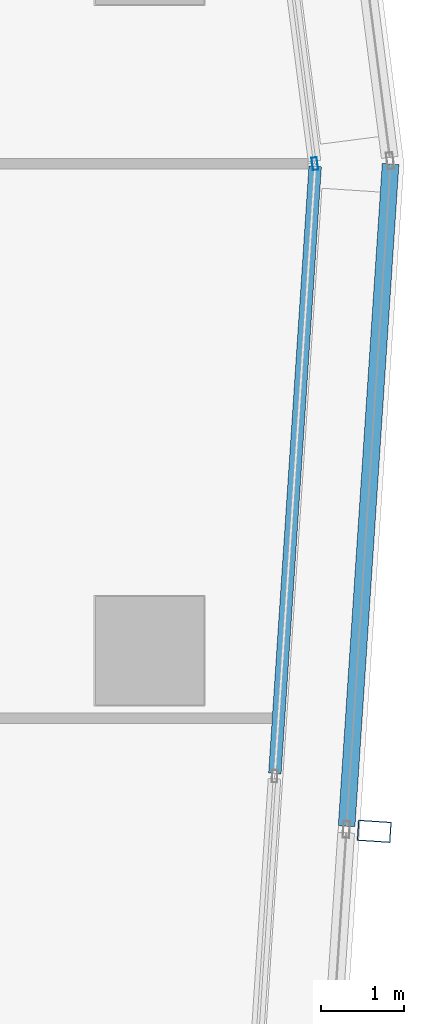
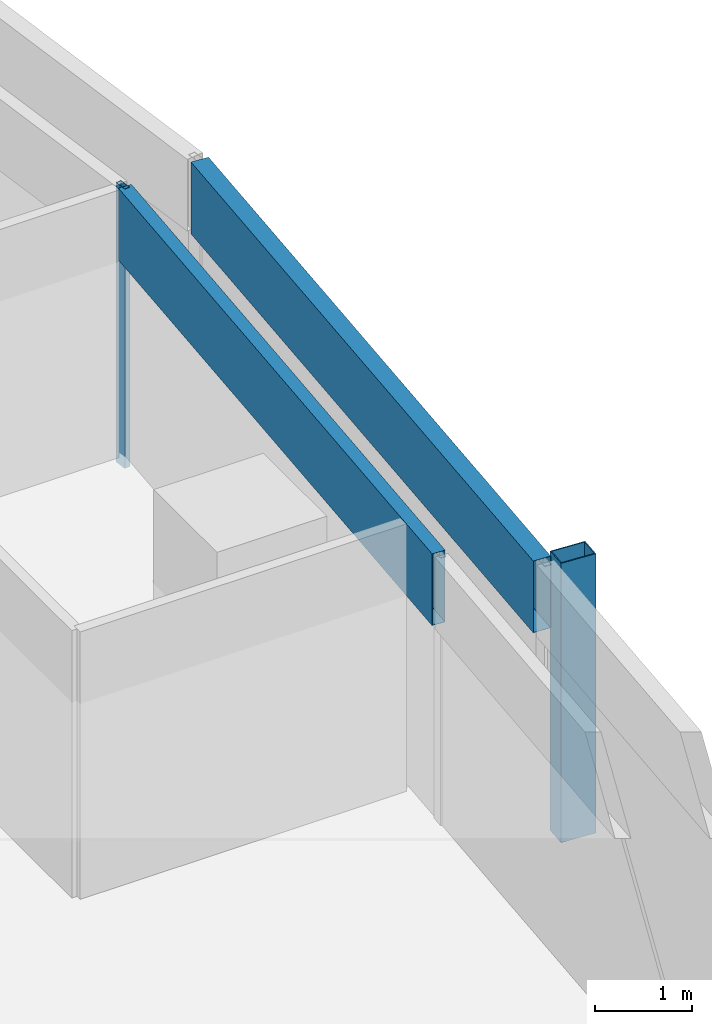
# One storey, part 13 of 29: 4 members, 3 elements without a shape of their own.
"""IFC4 building model written with IfcOpenShell, lengths in metres."""

from ifc_helpers import new_model, si_unit, direction, frame, origin, origin_2d, place, context, subcontext, project, spatial, hollow_rectangle, extrude, material, material_profile, profile_set, type_object, element, aggregate, save


model = new_model("IFC4")

# Units and contexts
model_context = context("Model", 3, precision=1e-05, world=origin(), true_north=direction((0.0, 1.0)))
body_context = subcontext(model_context, "Body", "Model", "MODEL_VIEW")
ifc_project = project(units=[si_unit("LENGTHUNIT", "METRE"), si_unit("AREAUNIT", "SQUARE_METRE"), si_unit("VOLUMEUNIT", "CUBIC_METRE"), si_unit("PLANEANGLEUNIT", "RADIAN"), si_unit("MASSUNIT", "GRAM", prefix="KILO")], contexts=[model_context])

# Site, building, storey
site_placement = place(None, origin())
site = spatial("IfcSite", under=ifc_project, at=site_placement, CompositionType="ELEMENT")
building_placement = place(site_placement, origin())
building = spatial("IfcBuilding", under=site, at=building_placement, Name="Rekha Terrace Tower", CompositionType="ELEMENT")
storey_placement = place(building_placement, frame((0.0, 0.0, 280.10009765625)))
storey = spatial("IfcBuildingStorey", under=building, at=storey_placement, Name="L71", CompositionType="ELEMENT", Elevation=280.10009765625)

# Curtain wall, member
ifc_material_1 = material(Name="Aluminium framing", Category="aluminium")
curtain_wall_type_1 = type_object("IfcCurtainWallType", Name="CW2 double skin outer glazing", PredefinedType="USERDEFINED", material=ifc_material_1)
curtain_wall_1_placement = place(storey_placement, origin())
curtain_wall_1 = element("IfcCurtainWall", 1, at=curtain_wall_1_placement, inside=storey, type_object=curtain_wall_type_1, Name="CW2 double skin outer glazing", ObjectType="DOUBLE SKIN OUTER GLAZING", PredefinedType="USERDEFINED")
ifc_material_2 = material(Name="Steel S355 with fluorocarbon finish", Category="steel")
ifc_material_profile_1 = material_profile(ifc_material_2, hollow_rectangle(XDim=0.25, YDim=0.39990234375, WallThickness=0.012451171875, at=origin_2d()), Name="RHS400x250x12.5")
ifc_profile_set_1 = profile_set([ifc_material_profile_1], Name="Steel S355 with fluorocarbon finish")
member_type_1 = type_object("IfcMemberType", Name="BL1 facade blade RHS 400 x 250", PredefinedType="USERDEFINED", material=ifc_profile_set_1)
member_1_placement = place(storey_placement, frame((61.49365234375, 31.435302734375, 0.0), z_axis=(0.0, 0.0, 1.0), x_axis=(0.066272158908, 0.99780158396, 0.0)))
member_1 = element("IfcMember", 2, at=member_1_placement, type_object=member_type_1, Name="Facade blade", ObjectType="FACADE BLADE", PredefinedType="USERDEFINED", context=body_context, shape_type="SweptSolid", body=[
    extrude(hollow_rectangle(XDim=0.25, YDim=0.39990234375, WallThickness=0.012451171875, at=origin_2d()), origin(), (0.0, 0.0, 1.0), 3.5),
])

curtain_wall_type_2 = type_object("IfcCurtainWallType", Name="CW1 double skin inner glazing", PredefinedType="USERDEFINED", material=ifc_material_1)
curtain_wall_2_placement = place(storey_placement, origin())
curtain_wall_2 = element("IfcCurtainWall", 3, at=curtain_wall_2_placement, inside=storey, type_object=curtain_wall_type_2, Name="CW1 double skin inner glazing", ObjectType="DOUBLE SKIN INNER GLAZING", PredefinedType="USERDEFINED")
ifc_material_3 = material(Name="Aluminium mullion section", Category="aluminium")
ifc_material_profile_2 = material_profile(ifc_material_3, hollow_rectangle(XDim=0.06494140625, YDim=0.14990234375, WallThickness=0.00390625, at=origin_2d()), Name="AL RHS 65x150")
ifc_profile_set_2 = profile_set([ifc_material_profile_2], Name="Aluminium mullion section")
member_type_2 = type_object("IfcMemberType", Name="CW1 mullion RHS 65 x 150", PredefinedType="MULLION", material=ifc_profile_set_2)
member_2_placement = place(storey_placement, frame((60.78125, 39.439208984375, 0.0), z_axis=(0.0, 0.0, 1.0), x_axis=(-0.991790949472, -0.127869904766, 0.0)))
member_2 = element("IfcMember", 4, at=member_2_placement, type_object=member_type_2, Name="CW1 mullion 1", PredefinedType="MULLION", context=body_context, shape_type="SweptSolid", body=[
    extrude(hollow_rectangle(XDim=0.06494140625, YDim=0.14990234375, WallThickness=0.00390625, at=origin_2d()), origin(), (0.0, 0.0, 1.0), 3.5),
])
aggregate(curtain_wall_2, [member_2])

curtain_wall_3_placement = place(storey_placement, origin())
curtain_wall_3 = element("IfcCurtainWall", 5, at=curtain_wall_3_placement, inside=storey, type_object=curtain_wall_type_2, Name="CW1 double skin inner glazing", ObjectType="DOUBLE SKIN INNER GLAZING", PredefinedType="USERDEFINED")
ifc_material_4 = material(Name="Insulated aluminium spandrel box", Category="aluminium")
ifc_material_profile_3 = material_profile(ifc_material_4, hollow_rectangle(XDim=0.14990234375, YDim=0.89990234375, WallThickness=0.0029296875, at=origin_2d()), Name="AL SPANDREL BOX 150x900")
ifc_profile_set_3 = profile_set([ifc_material_profile_3], Name="Insulated aluminium spandrel box")
member_type_3 = type_object("IfcMemberType", Name="CW1 spandrel transom 150 x 900", PredefinedType="USERDEFINED", material=ifc_profile_set_3)
member_3_placement = place(storey_placement, frame((60.302001953125, 32.129150390625, 3.0498046875), z_axis=(0.066274633038, 0.99780141963, 0.0), x_axis=(-0.99780141963, 0.066274633038, 0.0)))
member_3 = element("IfcMember", 6, at=member_3_placement, type_object=member_type_3, Name="CW1 spandrel transom 3", ObjectType="TRANSOM", PredefinedType="USERDEFINED", context=body_context, shape_type="SweptSolid", body=[
    extrude(hollow_rectangle(XDim=0.14990234375, YDim=0.89990234375, WallThickness=0.0029296875, at=origin_2d()), origin(), (0.0, 0.0, 1.0), 7.2939453125),
])
aggregate(curtain_wall_3, [member_3])

# Member
ifc_material_profile_4 = material_profile(ifc_material_4, hollow_rectangle(XDim=0.199951171875, YDim=0.89990234375, WallThickness=0.0029296875, at=origin_2d()), Name="AL SPANDREL BOX 200x900")
ifc_profile_set_4 = profile_set([ifc_material_profile_4], Name="Insulated aluminium spandrel box")
member_type_4 = type_object("IfcMemberType", Name="CW2 spandrel transom 200 x 900", PredefinedType="USERDEFINED", material=ifc_profile_set_4)
member_4_placement = place(storey_placement, frame((61.162109375, 31.497314453125, 3.0498046875), z_axis=(0.066258284658, 0.997802505366, 0.0), x_axis=(-0.997802505366, 0.066258284658, 0.0)))
member_4 = element("IfcMember", 7, at=member_4_placement, type_object=member_type_4, Name="CW2 spandrel transom 3", ObjectType="TRANSOM", PredefinedType="USERDEFINED", context=body_context, shape_type="SweptSolid", body=[
    extrude(hollow_rectangle(XDim=0.199951171875, YDim=0.89990234375, WallThickness=0.0029296875, at=origin_2d()), origin(), (0.0, 0.0, 1.0), 7.955322265625),
])

aggregate(curtain_wall_1, [member_4, member_1])

save(model, "model.ifc")
